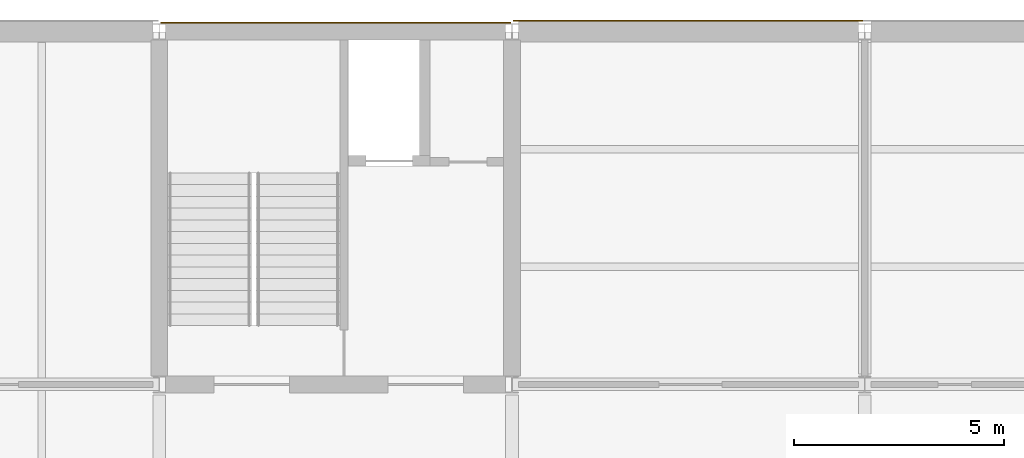
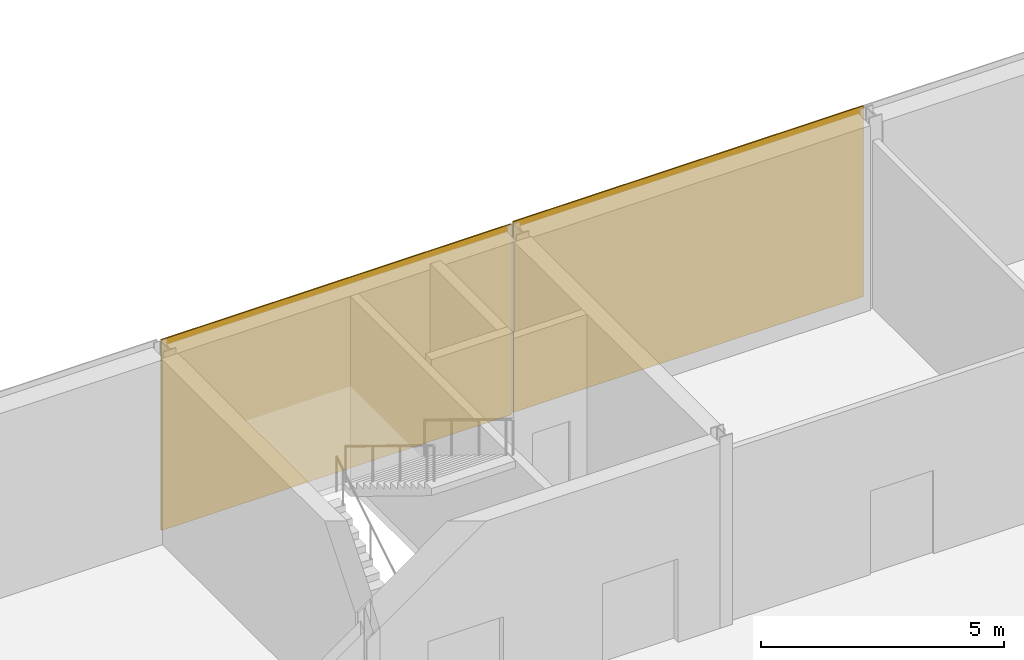
# One storey, part 40 of 52: 2 coverings.
"""IFC4 building model written with IfcOpenShell, lengths in metres."""

from ifc_helpers import new_model, si_unit, direction, frame, origin, origin_2d, place, context, subcontext, project, spatial, rectangle, extrude, material, layer, layer_set, type_object, element, save


model = new_model("IFC4")

# Units and contexts
model_context = context("Model", 3, precision=1e-05, world=origin(), true_north=direction((0.0, 1.0)))
body_context = subcontext(model_context, "Body", "Model", "MODEL_VIEW")
ifc_project = project(units=[si_unit("LENGTHUNIT", "METRE"), si_unit("AREAUNIT", "SQUARE_METRE"), si_unit("VOLUMEUNIT", "CUBIC_METRE"), si_unit("PLANEANGLEUNIT", "RADIAN"), si_unit("MASSUNIT", "GRAM", prefix="KILO")], contexts=[model_context])

# Site, building, storey
site_placement = place(None, origin())
site = spatial("IfcSite", under=ifc_project, at=site_placement, CompositionType="ELEMENT")
building_placement = place(site_placement, origin())
building = spatial("IfcBuilding", under=site, at=building_placement, Name="Galleria Vessillo Department Store", CompositionType="ELEMENT")
storey_placement = place(building_placement, frame((0.0, 0.0, 16.199951171875)))
storey = spatial("IfcBuildingStorey", under=building, at=storey_placement, Name="L03", CompositionType="ELEMENT", Elevation=16.199951171875)

# Coverings
ifc_material = material(Name="Lime plaster (intonaco) ochre")
ifc_layer = layer(ifc_material, 0.030029296875)
ifc_layer_set = layer_set([ifc_layer], Name="Lime plaster (intonaco) ochre")
covering_type = type_object("IfcCoveringType", Name="Lime plaster render 30 mm", PredefinedType="CLADDING", material=ifc_layer_set)
for number, where, z_axis, x_axis, name in (
    (1, (12.599853515625, 63.215087890625, 0.0), (0.0, 0.0, 1.0), (1.0, 0.0, 0.0), "Wall cladding S-CW-PC-NW-PARTY-L03"),
    (2, (21.0, 63.264892578125, 0.0), (0.0, 0.0, 1.0), (1.0, 0.0, 0.0), "Wall cladding S-PN-L03-02"),
):
    element("IfcCovering", number, at=place(storey_placement, frame(where, z_axis=z_axis, x_axis=x_axis)), inside=storey, type_object=covering_type, Name=name, PredefinedType="CLADDING", context=body_context, shape_type="SweptSolid", body=[
        extrude(rectangle(XDim=8.340087890625, YDim=0.030029296875, at=origin_2d()), origin(), (0.0, 0.0, 1.0), 4.800048828125),
    ])

save(model, "model.ifc")
